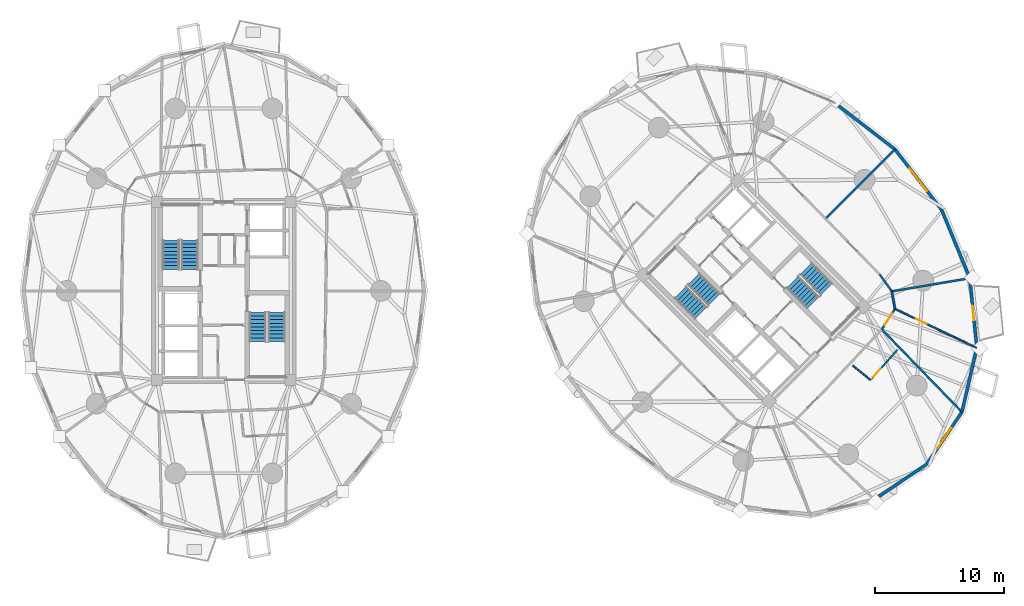
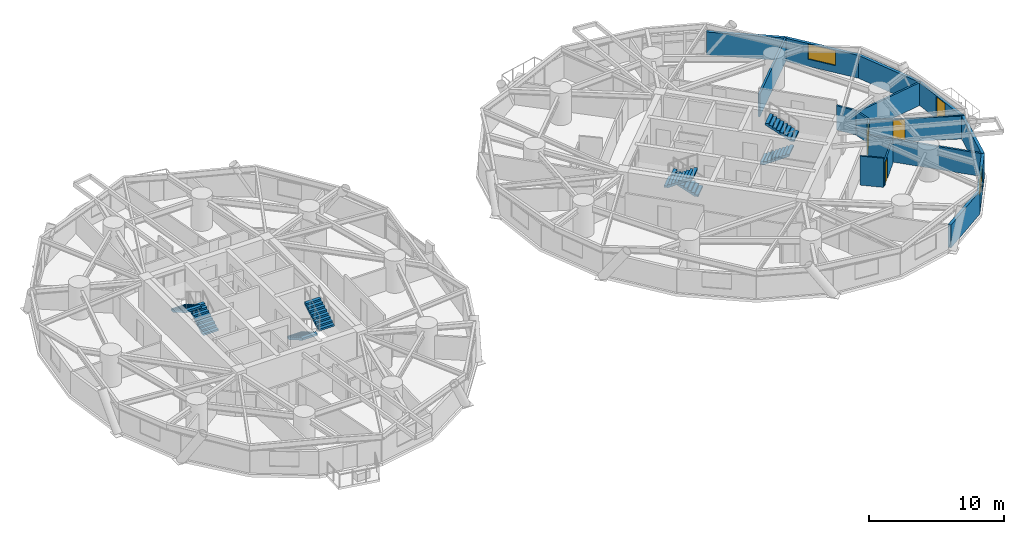
# One storey, part 16 of 19: 16 walls, 8 stair flights, 4 doors, 2 windows, 6 openings, 4 elements without a shape of their own.
"""IFC4 building model written with IfcOpenShell, lengths in metres."""

from ifc_helpers import new_model, si_unit, direction, frame, frame_2d, origin, place, context, subcontext, project, spatial, polyline, rectangle, outline, extrude, source, transform, mapped, material, layer, layer_set, type_object, element, fill, aggregate, save


model = new_model("IFC4")

# Units and contexts
model_context = context("Model", 3, precision=1e-05, world=origin(), true_north=direction((0.0, 1.0)))
body_context = subcontext(model_context, "Body", "Model", "MODEL_VIEW")
ifc_project = project(units=[si_unit("LENGTHUNIT", "METRE"), si_unit("AREAUNIT", "SQUARE_METRE"), si_unit("VOLUMEUNIT", "CUBIC_METRE"), si_unit("PLANEANGLEUNIT", "RADIAN"), si_unit("MASSUNIT", "GRAM", prefix="KILO")], contexts=[model_context])

# Site, building, storey
site_placement = place(None, origin())
site = spatial("IfcSite", under=ifc_project, at=site_placement, CompositionType="ELEMENT")
building_placement = place(site_placement, origin())
building = spatial("IfcBuilding", under=site, at=building_placement, Name="Cununo Teusaquillo Station Towers", CompositionType="ELEMENT")
storey_placement = place(building_placement, frame((0.0, 0.0, 30.72998046875)))
storey = spatial("IfcBuildingStorey", under=building, at=storey_placement, Name="L08", CompositionType="ELEMENT", Elevation=30.72998046875)

# Walls
ifc_material_1 = material(Name="Precast concrete C40/50", Category="concrete")
ifc_layer_1 = layer(ifc_material_1, 0.239990234375)
ifc_layer_set_1 = layer_set([ifc_layer_1], Name="Precast concrete C40/50")
wall_type_1 = type_object("IfcWallType", Name="WL-EXT-240", PredefinedType="SOLIDWALL", material=ifc_layer_set_1)
wall_1_placement = place(storey_placement, frame((63.77783203125, 39.068115234375, 0.0), z_axis=(0.0, 0.0, 1.0), x_axis=(0.792020182601, -0.610494906082, 0.0)))
element("IfcWall", 1, at=wall_1_placement, inside=storey, type_object=wall_type_1, Name="L08 Tower B Exterior Facade Wall C00", PredefinedType="SOLIDWALL", context=body_context, shape_type="SweptSolid", body=[
    extrude(rectangle(XDim=5.9111328125, YDim=0.239990234375, at=frame_2d((2.95556640625, 0.0))), origin(), (0.0, 0.0, 1.0), 2.072998046875),
])
wall_2_placement = place(storey_placement, frame((70.913818359375, 11.086181640625, 0.0), z_axis=(0.0, 0.0, 1.0), x_axis=(-0.828748297084, -0.559621532896, 0.0)))
element("IfcWall", 2, at=wall_2_placement, inside=storey, type_object=wall_type_1, Name="L08 Tower B Exterior Facade Wall C14", PredefinedType="SOLIDWALL", context=body_context, shape_type="SweptSolid", body=[
    extrude(rectangle(XDim=4.878662109375, YDim=0.239990234375, at=frame_2d((2.439453125, 0.0))), origin(), (0.0, 0.0, 1.0), 2.072998046875),
])

# Wall, opening, window
wall_3_placement = place(storey_placement, frame((73.64404296875, 15.12939453125, 0.0), z_axis=(0.0, 0.0, 1.0), x_axis=(-0.559621532896, -0.828748297084, 0.0)))
wall_3 = element("IfcWall", 3, at=wall_3_placement, inside=storey, type_object=wall_type_1, Name="L08 Tower B Exterior Facade Wall C15", PredefinedType="SOLIDWALL", context=body_context, shape_type="SweptSolid", body=[
    extrude(rectangle(XDim=4.878662109375, YDim=0.239990234375, at=frame_2d((2.439453125, 0.0))), origin(), (0.0, 0.0, 1.0), 2.072998046875),
])
shared_shape_1 = source(origin(), body_context, "Body", "SweptSolid", [
    extrude(rectangle(XDim=1.89990234375, YDim=1.35009765625, at=frame_2d((0.949951171875, 0.675048828125))), frame((0.0, 0.1298828125, 0.0), z_axis=(0.0, -1.0, 0.0), x_axis=(1.0, 0.0, 0.0)), (0.0, 0.0, 1.0), 0.260009765625),
])
opening_1_placement = place(wall_3_placement, frame((1.489013671875, 0.0, 0.64990234375)))
opening_1 = element("IfcOpeningElement", 4, at=opening_1_placement, cuts=wall_3, Name="Opening WN-02", PredefinedType="OPENING", context=body_context, shape_type="MappedRepresentation", body=[
    mapped(shared_shape_1, transform((0.0, 0.0, 0.0), x_axis=(1.0, 0.0, 0.0), y_axis=(0.0, 1.0, 0.0), z_axis=(0.0, 0.0, 1.0), scale=1.0)),
])
ifc_material_2 = material(Name="Operable acoustic tinted low-E double glazing", Category="glass")
window_type_1 = type_object("IfcWindowType", Name="WIN-OPER-1900", PartitioningType="DOUBLE_PANEL_VERTICAL", PredefinedType="WINDOW", material=ifc_material_2)
shared_shape_2 = source(origin(), body_context, "Body", "SweptSolid", [
    extrude(rectangle(XDim=1.89990234375, YDim=1.35009765625, at=frame_2d((0.949951171875, 0.675048828125))), frame((0.0, 0.030029296875, 0.0), z_axis=(0.0, -1.0, 0.0), x_axis=(1.0, 0.0, 0.0)), (0.0, 0.0, 1.0), 0.06005859375),
])
window_1_placement = place(opening_1_placement, origin())
window_1 = element("IfcWindow", 5, at=window_1_placement, inside=storey, type_object=window_type_1, Name="L08 Tower B Facade Window C15", OverallHeight=1.35009765625, OverallWidth=1.89990234375, PartitioningType="DOUBLE_PANEL_VERTICAL", PredefinedType="WINDOW", context=body_context, shape_type="MappedRepresentation", body=[
    mapped(shared_shape_2, transform((0.0, 0.0, 0.0), x_axis=(1.0, 0.0, 0.0), y_axis=(0.0, 1.0, 0.0), z_axis=(0.0, 0.0, 1.0), scale=1.0)),
])
fill(opening_1, window_1)

# Wall
wall_4_placement = place(storey_placement, frame((74.7939453125, 20.08984375, 0.0), z_axis=(0.0, 0.0, 1.0), x_axis=(-0.22582585901, -0.974167686491, 0.0)))
element("IfcWall", 6, at=wall_4_placement, inside=storey, type_object=wall_type_1, Name="L08 Tower B Exterior Facade Wall C16", PredefinedType="SOLIDWALL", context=body_context, shape_type="SweptSolid", body=[
    extrude(rectangle(XDim=5.092041015625, YDim=0.239990234375, at=frame_2d((2.5458984375, 0.0))), origin(), (0.0, 0.0, 1.0), 2.072998046875),
])

# Wall, opening, door
wall_5_placement = place(storey_placement, frame((74.2509765625, 25.48193359375, 0.0), z_axis=(0.0, 0.0, 1.0), x_axis=(0.100190592135, -0.994968263437, 0.0)))
wall_5 = element("IfcWall", 7, at=wall_5_placement, inside=storey, type_object=wall_type_1, Name="L08 Tower B Exterior Facade Wall C17", PredefinedType="SOLIDWALL", context=body_context, shape_type="SweptSolid", body=[
    extrude(rectangle(XDim=5.41943359375, YDim=0.239990234375, at=frame_2d((2.709716796875, 0.0))), origin(), (0.0, 0.0, 1.0), 2.072998046875),
])
shared_shape_3 = source(origin(), body_context, "Body", "SweptSolid", [
    extrude(rectangle(XDim=1.14990234375, YDim=2.0048828125, at=frame_2d((0.574951171875, 1.00244140625))), frame((0.0, 0.1298828125, 0.0), z_axis=(0.0, -1.0, 0.0), x_axis=(1.0, 0.0, 0.0)), (0.0, 0.0, 1.0), 0.260009765625),
])
opening_2_placement = place(wall_5_placement, frame((2.135009765625, 0.0, 0.0)))
opening_2 = element("IfcOpeningElement", 8, at=opening_2_placement, cuts=wall_5, Name="Opening ED-03", PredefinedType="OPENING", context=body_context, shape_type="MappedRepresentation", body=[
    mapped(shared_shape_3, transform((0.0, 0.0, 0.0), x_axis=(1.0, 0.0, 0.0), y_axis=(0.0, 1.0, 0.0), z_axis=(0.0, 0.0, 1.0), scale=1.0)),
])
ifc_material_3 = material(Name="Anodised dark bronze aluminium EN AW-6063-T6", Category="aluminium")
door_type_1 = type_object("IfcDoorType", Name="DR-EXT-BAL", OperationType="NOTDEFINED", PredefinedType="DOOR", material=ifc_material_3)
shared_shape_4 = source(origin(), body_context, "Body", "SweptSolid", [
    extrude(rectangle(XDim=1.14990234375, YDim=2.0048828125, at=frame_2d((0.574951171875, 1.00244140625))), frame((0.0, 0.02490234375, 0.0), z_axis=(0.0, -1.0, 0.0), x_axis=(1.0, 0.0, 0.0)), (0.0, 0.0, 1.0), 0.050048828125),
])
door_1_placement = place(opening_2_placement, origin())
door_1 = element("IfcDoor", 9, at=door_1_placement, inside=storey, type_object=door_type_1, Name="L08 Tower B Tree Balcony Door C17", OperationType="SINGLE_SWING_LEFT", OverallHeight=2.0048828125, OverallWidth=1.14990234375, PredefinedType="DOOR", context=body_context, shape_type="MappedRepresentation", body=[
    mapped(shared_shape_4, transform((0.0, 0.0, 0.0), x_axis=(1.0, 0.0, 0.0), y_axis=(0.0, 1.0, 0.0), z_axis=(0.0, 0.0, 1.0), scale=1.0)),
])
fill(opening_2, door_1)

# Wall
wall_6_placement = place(storey_placement, frame((72.068115234375, 30.77783203125, 0.0), z_axis=(0.0, 0.0, 1.0), x_axis=(0.381077764176, -0.924542988536, 0.0)))
element("IfcWall", 10, at=wall_6_placement, inside=storey, type_object=wall_type_1, Name="L08 Tower B Exterior Facade Wall C18", PredefinedType="SOLIDWALL", context=body_context, shape_type="SweptSolid", body=[
    extrude(rectangle(XDim=5.72802734375, YDim=0.239990234375, at=frame_2d((2.864013671875, 0.0))), origin(), (0.0, 0.0, 1.0), 2.072998046875),
])

# Wall, opening, window
wall_7_placement = place(storey_placement, frame((68.45947265625, 35.45947265625, 0.0), z_axis=(0.0, 0.0, 1.0), x_axis=(0.610494906082, -0.792020182601, 0.0)))
wall_7 = element("IfcWall", 11, at=wall_7_placement, inside=storey, type_object=wall_type_1, Name="L08 Tower B Exterior Facade Wall C19", PredefinedType="SOLIDWALL", context=body_context, shape_type="SweptSolid", body=[
    extrude(rectangle(XDim=5.9111328125, YDim=0.239990234375, at=frame_2d((2.95556640625, 0.0))), origin(), (0.0, 0.0, 1.0), 2.072998046875),
])
shared_shape_5 = source(origin(), body_context, "Body", "SweptSolid", [
    extrude(rectangle(XDim=2.199951171875, YDim=1.35009765625, at=frame_2d((1.10009765625, 0.675048828125))), frame((0.0, 0.1298828125, 0.0), z_axis=(0.0, -1.0, 0.0), x_axis=(1.0, 0.0, 0.0)), (0.0, 0.0, 1.0), 0.260009765625),
])
opening_3_placement = place(wall_7_placement, frame((1.85498046875, 0.0, 0.64990234375)))
opening_3 = element("IfcOpeningElement", 12, at=opening_3_placement, cuts=wall_7, Name="Opening WN-01", PredefinedType="OPENING", context=body_context, shape_type="MappedRepresentation", body=[
    mapped(shared_shape_5, transform((0.0, 0.0, 0.0), x_axis=(1.0, 0.0, 0.0), y_axis=(0.0, 1.0, 0.0), z_axis=(0.0, 0.0, 1.0), scale=1.0)),
])
ifc_material_4 = material(Name="Ceramic-fritted dark low-E double glazing", Category="glass")
window_type_2 = type_object("IfcWindowType", Name="WIN-FRIT-2200", PartitioningType="DOUBLE_PANEL_VERTICAL", PredefinedType="WINDOW", material=ifc_material_4)
shared_shape_6 = source(origin(), body_context, "Body", "SweptSolid", [
    extrude(rectangle(XDim=2.199951171875, YDim=1.35009765625, at=frame_2d((1.10009765625, 0.675048828125))), frame((0.0, 0.030029296875, 0.0), z_axis=(0.0, -1.0, 0.0), x_axis=(1.0, 0.0, 0.0)), (0.0, 0.0, 1.0), 0.06005859375),
])
window_2_placement = place(opening_3_placement, origin())
window_2 = element("IfcWindow", 13, at=window_2_placement, inside=storey, type_object=window_type_2, Name="L08 Tower B Facade Window C19", OverallHeight=1.35009765625, OverallWidth=2.199951171875, PartitioningType="DOUBLE_PANEL_VERTICAL", PredefinedType="WINDOW", context=body_context, shape_type="MappedRepresentation", body=[
    mapped(shared_shape_6, transform((0.0, 0.0, 0.0), x_axis=(1.0, 0.0, 0.0), y_axis=(0.0, 1.0, 0.0), z_axis=(0.0, 0.0, 1.0), scale=1.0)),
])
fill(opening_3, window_2)

# Wall
ifc_material_5 = material(Name="Fire-rated gypsum plasterboard partition assembly", Category="gypsum")
ifc_layer_2 = layer(ifc_material_5, 0.125)
ifc_layer_set_2 = layer_set([ifc_layer_2], Name="Fire-rated gypsum plasterboard partition assembly")
wall_type_2 = type_object("IfcWallType", Name="WL-PART-125", PredefinedType="PARTITIONING", material=ifc_layer_set_2)
wall_8_placement = place(storey_placement, frame((65.202392578125, 18.721435546875, 0.0), z_axis=(0.0, 0.0, 1.0), x_axis=(0.769814202386, -0.638268042287, 0.0)))
element("IfcWall", 14, at=wall_8_placement, inside=storey, type_object=wall_type_2, Name="L08 Tower B S07 En-suite Side Wall", PredefinedType="PARTITIONING", context=body_context, shape_type="SweptSolid", body=[
    extrude(rectangle(XDim=1.768798828125, YDim=0.125, at=frame_2d((0.88427734375, 0.0))), origin(), (0.0, 0.0, 1.0), 2.635009765625),
])

# Wall, opening, door
wall_9_placement = place(storey_placement, frame((66.667236328125, 17.70947265625, 0.0), z_axis=(0.0, 0.0, 1.0), x_axis=(0.662510581678, 0.749052554341, 0.0)))
wall_9 = element("IfcWall", 15, at=wall_9_placement, inside=storey, type_object=wall_type_2, Name="L08 Tower B S07 En-suite Back Wall", PredefinedType="PARTITIONING", context=body_context, shape_type="SweptSolid", body=[
    extrude(rectangle(XDim=2.99609375, YDim=0.125, at=frame_2d((1.498046875, 0.0))), origin(), (0.0, 0.0, 1.0), 2.158935546875),
])
shared_shape_7 = source(origin(), body_context, "Body", "SweptSolid", [
    extrude(rectangle(XDim=0.89990234375, YDim=2.0048828125, at=frame_2d((0.449951171875, 1.00244140625))), frame((0.0, 0.072509765625, 0.0), z_axis=(0.0, -1.0, 0.0), x_axis=(1.0, 0.0, 0.0)), (0.0, 0.0, 1.0), 0.14501953125),
])
opening_4_placement = place(wall_9_placement, frame((0.1201171875, 0.0, 0.0)))
opening_4 = element("IfcOpeningElement", 16, at=opening_4_placement, cuts=wall_9, Name="Opening D-IN1", PredefinedType="OPENING", context=body_context, shape_type="MappedRepresentation", body=[
    mapped(shared_shape_7, transform((0.0, 0.0, 0.0), x_axis=(1.0, 0.0, 0.0), y_axis=(0.0, 1.0, 0.0), z_axis=(0.0, 0.0, 1.0), scale=1.0)),
])
ifc_material_6 = material(Name="Acoustic solid-core hardwood leaf assembly", Category="wood")
door_type_2 = type_object("IfcDoorType", Name="DR-INT-900", OperationType="NOTDEFINED", PredefinedType="DOOR", material=ifc_material_6)
shared_shape_8 = source(origin(), body_context, "Body", "SweptSolid", [
    extrude(rectangle(XDim=0.89990234375, YDim=2.0048828125, at=frame_2d((0.449951171875, 1.00244140625))), frame((0.0, 0.02490234375, 0.0), z_axis=(0.0, -1.0, 0.0), x_axis=(1.0, 0.0, 0.0)), (0.0, 0.0, 1.0), 0.050048828125),
])
door_2_placement = place(opening_4_placement, origin())
door_2 = element("IfcDoor", 17, at=door_2_placement, inside=storey, type_object=door_type_2, Name="L08 Tower B S07 En-suite Bathroom Door", OperationType="SINGLE_SWING_RIGHT", OverallHeight=2.0048828125, OverallWidth=0.89990234375, PredefinedType="DOOR", context=body_context, shape_type="MappedRepresentation", body=[
    mapped(shared_shape_8, transform((0.0, 0.0, 0.0), x_axis=(1.0, 0.0, 0.0), y_axis=(0.0, 1.0, 0.0), z_axis=(0.0, 0.0, 1.0), scale=1.0)),
])
fill(opening_4, door_2)

wall_10_placement = place(storey_placement, frame((68.45556640625, 23.109619140625, 0.0), z_axis=(0.0, 0.0, 1.0), x_axis=(0.902430819297, -0.430834790125, 0.0)))
wall_10 = element("IfcWall", 18, at=wall_10_placement, inside=storey, type_object=wall_type_2, Name="L08 Tower B Hotel Housekeeping & Linen Pantry Suite Subdividing Wall", PredefinedType="PARTITIONING", context=body_context, shape_type="SweptSolid", body=[
    extrude(rectangle(XDim=7.001708984375, YDim=0.125, at=frame_2d((3.5009765625, 0.0))), origin(), (0.0, 0.0, 1.0), 2.072998046875),
])
opening_5_placement = place(wall_10_placement, frame((1.800048828125, 0.0, 0.0)))
opening_5 = element("IfcOpeningElement", 19, at=opening_5_placement, cuts=wall_10, Name="Opening D-IN1", PredefinedType="OPENING", context=body_context, shape_type="MappedRepresentation", body=[
    mapped(shared_shape_7, transform((0.0, 0.0, 0.0), x_axis=(1.0, 0.0, 0.0), y_axis=(0.0, 1.0, 0.0), z_axis=(0.0, 0.0, 1.0), scale=1.0)),
])
door_3_placement = place(opening_5_placement, origin())
door_3 = element("IfcDoor", 20, at=door_3_placement, inside=storey, type_object=door_type_2, Name="L08 Tower B Hotel Housekeeping & Linen Pantry Suite Connecting Door", OperationType="SINGLE_SWING_RIGHT", OverallHeight=2.0048828125, OverallWidth=0.89990234375, PredefinedType="DOOR", context=body_context, shape_type="MappedRepresentation", body=[
    mapped(shared_shape_8, transform((0.0, 0.0, 0.0), x_axis=(1.0, 0.0, 0.0), y_axis=(0.0, 1.0, 0.0), z_axis=(0.0, 0.0, 1.0), scale=1.0)),
])
fill(opening_5, door_3)

ifc_material_7 = material(Name="Fire-rated gypsum plasterboard partition assembly", Category="gypsum")
ifc_layer_3 = layer(ifc_material_7, 0.14990234375)
ifc_layer_set_3 = layer_set([ifc_layer_3], Name="Fire-rated gypsum plasterboard partition assembly")
wall_type_3 = type_object("IfcWallType", Name="WL-PART-150", PredefinedType="PARTITIONING", material=ifc_layer_set_3)
wall_11_placement = place(storey_placement, frame((67.4345703125, 21.521484375, 0.0), z_axis=(0.0, 0.0, 1.0), x_axis=(0.540777197838, 0.841165870859, 0.0)))
wall_11 = element("IfcWall", 21, at=wall_11_placement, inside=storey, type_object=wall_type_3, Name="L08 Tower B Corridor Ring Wall C16", PredefinedType="PARTITIONING", context=body_context, shape_type="SweptSolid", body=[
    extrude(rectangle(XDim=1.887939453125, YDim=0.14990234375, at=frame_2d((0.94384765625, 0.0))), origin(), (0.0, 0.0, 1.0), 2.205078125),
])
shared_shape_9 = source(origin(), body_context, "Body", "SweptSolid", [
    extrude(rectangle(XDim=1.050048828125, YDim=2.014892578125, at=frame_2d((0.52490234375, 1.00732421875))), frame((0.0, 0.0849609375, 0.0), z_axis=(0.0, -1.0, 0.0), x_axis=(1.0, 0.0, 0.0)), (0.0, 0.0, 1.0), 0.169921875),
])
opening_6_placement = place(wall_11_placement, frame((0.4189453125, 0.0, 0.0)))
opening_6 = element("IfcOpeningElement", 22, at=opening_6_placement, cuts=wall_11, Name="Opening D-SU1", PredefinedType="OPENING", context=body_context, shape_type="MappedRepresentation", body=[
    mapped(shared_shape_9, transform((0.0, 0.0, 0.0), x_axis=(1.0, 0.0, 0.0), y_axis=(0.0, 1.0, 0.0), z_axis=(0.0, 0.0, 1.0), scale=1.0)),
])
ifc_material_8 = material(Name="Acoustic solid-core hardwood leaf assembly", Category="wood")
door_type_3 = type_object("IfcDoorType", Name="DR-SUITE-1050", OperationType="NOTDEFINED", PredefinedType="DOOR", material=ifc_material_8)
shared_shape_10 = source(origin(), body_context, "Body", "SweptSolid", [
    extrude(rectangle(XDim=1.050048828125, YDim=2.014892578125, at=frame_2d((0.52490234375, 1.00732421875))), frame((0.0, 0.02490234375, 0.0), z_axis=(0.0, -1.0, 0.0), x_axis=(1.0, 0.0, 0.0)), (0.0, 0.0, 1.0), 0.050048828125),
])
door_4_placement = place(opening_6_placement, origin())
door_4 = element("IfcDoor", 23, at=door_4_placement, inside=storey, type_object=door_type_3, Name="L08 Tower B Hotel Housekeeping & Linen Pantry Entrance Door", OperationType="SINGLE_SWING_LEFT", OverallHeight=2.014892578125, OverallWidth=1.050048828125, PredefinedType="DOOR", context=body_context, shape_type="MappedRepresentation", body=[
    mapped(shared_shape_10, transform((0.0, 0.0, 0.0), x_axis=(1.0, 0.0, 0.0), y_axis=(0.0, 1.0, 0.0), z_axis=(0.0, 0.0, 1.0), scale=1.0)),
])
fill(opening_6, door_4)

# Walls
wall_12_placement = place(storey_placement, frame((68.45556640625, 23.109619140625, 0.0), z_axis=(0.0, 0.0, 1.0), x_axis=(-0.1772522795, 0.984165448191, 0.0)))
element("IfcWall", 24, at=wall_12_placement, inside=storey, type_object=wall_type_3, Name="L08 Tower B Corridor Ring Wall C17", PredefinedType="PARTITIONING", context=body_context, shape_type="SweptSolid", body=[
    extrude(rectangle(XDim=1.381591796875, YDim=0.14990234375, at=frame_2d((0.69091796875, 0.0))), origin(), (0.0, 0.0, 1.0), 2.158935546875),
])
wall_13_placement = place(storey_placement, frame((68.210693359375, 24.46923828125, 0.0), z_axis=(0.0, 0.0, 1.0), x_axis=(-0.583012141368, 0.812463441034, 0.0)))
element("IfcWall", 25, at=wall_13_placement, inside=storey, type_object=wall_type_3, Name="L08 Tower B Corridor Ring Wall C18", PredefinedType="PARTITIONING", context=body_context, shape_type="SweptSolid", body=[
    extrude(rectangle(XDim=1.613037109375, YDim=0.14990234375, at=frame_2d((0.806640625, 0.0))), origin(), (0.0, 0.0, 1.0), 2.205078125),
])
ifc_material_9 = material(Name="Fire-rated gypsum plasterboard partition assembly", Category="gypsum")
ifc_layer_4 = layer(ifc_material_9, 0.159912109375)
ifc_layer_set_4 = layer_set([ifc_layer_4], Name="Fire-rated gypsum plasterboard partition assembly")
wall_type_4 = type_object("IfcWallType", Name="WL-PART-160", PredefinedType="PARTITIONING", material=ifc_layer_set_4)
wall_14_placement = place(storey_placement, frame((63.086181640625, 30.086181640625, 0.0), z_axis=(0.0, 0.0, 1.0), x_axis=(0.707106781187, 0.707106781187, 0.0)))
element("IfcWall", 26, at=wall_14_placement, inside=storey, type_object=wall_type_4, Name="L08 Tower B Radial Suite Partition R01", PredefinedType="PARTITIONING", context=body_context, shape_type="SweptSolid", body=[
    extrude(rectangle(XDim=7.578857421875, YDim=0.159912109375, at=frame_2d((3.78955078125, 0.0))), origin(), (0.0, 0.0, 1.0), 2.072998046875),
])
wall_15_placement = place(storey_placement, frame((67.4345703125, 21.521484375, 0.0), z_axis=(0.0, 0.0, 1.0), x_axis=(0.6962628802, -0.717786877601, 0.0)))
element("IfcWall", 27, at=wall_15_placement, inside=storey, type_object=wall_type_4, Name="L08 Tower B Radial Suite Partition R09", PredefinedType="PARTITIONING", context=body_context, shape_type="SweptSolid", body=[
    extrude(rectangle(XDim=8.892578125, YDim=0.159912109375, at=frame_2d((4.4462890625, 0.0))), origin(), (0.0, 0.0, 1.0), 2.072998046875),
])
wall_16_placement = place(storey_placement, frame((68.210693359375, 24.46923828125, 0.0), z_axis=(0.0, 0.0, 1.0), x_axis=(0.986231309699, 0.165371713934, 0.0)))
element("IfcWall", 28, at=wall_16_placement, inside=storey, type_object=wall_type_4, Name="L08 Tower B Radial Suite Partition R10", PredefinedType="PARTITIONING", context=body_context, shape_type="SweptSolid", body=[
    extrude(rectangle(XDim=6.1044921875, YDim=0.159912109375, at=frame_2d((3.05224609375, 0.0))), origin(), (0.0, 0.0, 1.0), 2.072998046875),
])

# Stair, stair flights
ifc_material_10 = material(Name="Concrete C50/60", Category="concrete")
stair_type = type_object("IfcStairType", Name="ST-TWR-1300", PredefinedType="HALF_TURN_STAIR", material=ifc_material_10)
stair_1_placement = place(storey_placement, origin())
stair_1 = element("IfcStair", 29, at=stair_1_placement, inside=storey, type_object=stair_type, Name="L08 Tower A Protected Core Exit Stair 1", PredefinedType="HALF_TURN_STAIR")
ifc_material_11 = material(Name="Concrete C50/60", Category="concrete")
stair_flight_type = type_object("IfcStairFlightType", Name="SFL-TWR-1300", PredefinedType="STRAIGHT", material=ifc_material_11)
stair_flight_1_placement = place(storey_placement, frame((13.8701171875, 26.169921875, 0.0), z_axis=(0.0, 0.0, 1.0), x_axis=(0.0, 1.0, 0.0)))
stair_flight_1 = element("IfcStairFlight", 30, at=stair_flight_1_placement, type_object=stair_flight_type, Name="ST-T1-1 flight 1", NumberOfRisers=9, NumberOfTreads=8, PredefinedType="STRAIGHT", RiserHeight=0.161666667, TreadLength=0.28, context=body_context, shape_type="SweptSolid", body=[
    extrude(outline(polyline([(0.0, 0.0), (0.0, 0.16162109375), (0.280029296875, 0.16162109375), (0.280029296875, 0.3232421875), (0.56005859375, 0.3232421875), (0.56005859375, 0.485107421875), (0.840087890625, 0.485107421875), (0.840087890625, 0.646728515625), (1.1201171875, 0.646728515625), (1.1201171875, 0.808349609375), (1.39990234375, 0.808349609375), (1.39990234375, 0.969970703125), (1.679931640625, 0.969970703125), (1.679931640625, 1.131591796875), (1.9599609375, 1.131591796875), (1.9599609375, 1.293212890625), (2.239990234375, 1.293212890625), (2.239990234375, 1.455078125), (2.239990234375, 1.1201171875), (0.2998046875, 0.0), (0.0, 0.0)])), frame((0.0, 0.64990234375, 0.0), z_axis=(0.0, -1.0, 0.0), x_axis=(1.0, 0.0, 0.0)), (0.0, 0.0, 1.0), 1.300048828125),
])
stair_flight_2_placement = place(storey_placement, frame((12.409912109375, 28.409912109375, 1.455078125), z_axis=(0.0, 0.0, 1.0), x_axis=(0.0, -1.0, 0.0)))
stair_flight_2 = element("IfcStairFlight", 31, at=stair_flight_2_placement, type_object=stair_flight_type, Name="ST-T1-1 flight 2", NumberOfRisers=9, NumberOfTreads=8, PredefinedType="STRAIGHT", RiserHeight=0.161666667, TreadLength=0.28, context=body_context, shape_type="SweptSolid", body=[
    extrude(outline(polyline([(0.0, 0.0), (0.0, 0.16162109375), (0.280029296875, 0.16162109375), (0.280029296875, 0.3232421875), (0.56005859375, 0.3232421875), (0.56005859375, 0.485107421875), (0.840087890625, 0.485107421875), (0.840087890625, 0.646728515625), (1.1201171875, 0.646728515625), (1.1201171875, 0.808349609375), (1.39990234375, 0.808349609375), (1.39990234375, 0.969970703125), (1.679931640625, 0.969970703125), (1.679931640625, 1.131591796875), (1.9599609375, 1.131591796875), (1.9599609375, 1.293212890625), (2.239990234375, 1.293212890625), (2.239990234375, 1.455078125), (2.239990234375, 1.1201171875), (0.2998046875, 0.0), (0.0, 0.0)])), frame((0.0, 0.64990234375, 0.0), z_axis=(0.0, -1.0, 0.0), x_axis=(1.0, 0.0, 0.0)), (0.0, 0.0, 1.0), 1.300048828125),
])
aggregate(stair_1, [stair_flight_1, stair_flight_2])

stair_2_placement = place(storey_placement, origin())
stair_2 = element("IfcStair", 32, at=stair_2_placement, inside=storey, type_object=stair_type, Name="L08 Tower A Protected Core Exit Stair 2", PredefinedType="HALF_TURN_STAIR")
stair_flight_3_placement = place(storey_placement, frame((19.1298828125, 22.830078125, 0.0), z_axis=(0.0, 0.0, 1.0), x_axis=(0.0, -1.0, 0.0)))
stair_flight_3 = element("IfcStairFlight", 33, at=stair_flight_3_placement, type_object=stair_flight_type, Name="ST-T1-2 flight 1", NumberOfRisers=9, NumberOfTreads=8, PredefinedType="STRAIGHT", RiserHeight=0.161666667, TreadLength=0.28, context=body_context, shape_type="SweptSolid", body=[
    extrude(outline(polyline([(0.0, 0.0), (0.0, 0.16162109375), (0.280029296875, 0.16162109375), (0.280029296875, 0.3232421875), (0.56005859375, 0.3232421875), (0.56005859375, 0.485107421875), (0.840087890625, 0.485107421875), (0.840087890625, 0.646728515625), (1.1201171875, 0.646728515625), (1.1201171875, 0.808349609375), (1.39990234375, 0.808349609375), (1.39990234375, 0.969970703125), (1.679931640625, 0.969970703125), (1.679931640625, 1.131591796875), (1.9599609375, 1.131591796875), (1.9599609375, 1.293212890625), (2.239990234375, 1.293212890625), (2.239990234375, 1.455078125), (2.239990234375, 1.1201171875), (0.2998046875, 0.0), (0.0, 0.0)])), frame((0.0, 0.64990234375, 0.0), z_axis=(0.0, -1.0, 0.0), x_axis=(1.0, 0.0, 0.0)), (0.0, 0.0, 1.0), 1.300048828125),
])
stair_flight_4_placement = place(storey_placement, frame((20.590087890625, 20.590087890625, 1.455078125), z_axis=(0.0, 0.0, 1.0), x_axis=(0.0, 1.0, 0.0)))
stair_flight_4 = element("IfcStairFlight", 34, at=stair_flight_4_placement, type_object=stair_flight_type, Name="ST-T1-2 flight 2", NumberOfRisers=9, NumberOfTreads=8, PredefinedType="STRAIGHT", RiserHeight=0.161666667, TreadLength=0.28, context=body_context, shape_type="SweptSolid", body=[
    extrude(outline(polyline([(0.0, 0.0), (0.0, 0.16162109375), (0.280029296875, 0.16162109375), (0.280029296875, 0.3232421875), (0.56005859375, 0.3232421875), (0.56005859375, 0.485107421875), (0.840087890625, 0.485107421875), (0.840087890625, 0.646728515625), (1.1201171875, 0.646728515625), (1.1201171875, 0.808349609375), (1.39990234375, 0.808349609375), (1.39990234375, 0.969970703125), (1.679931640625, 0.969970703125), (1.679931640625, 1.131591796875), (1.9599609375, 1.131591796875), (1.9599609375, 1.293212890625), (2.239990234375, 1.293212890625), (2.239990234375, 1.455078125), (2.239990234375, 1.1201171875), (0.2998046875, 0.0), (0.0, 0.0)])), frame((0.0, 0.64990234375, 0.0), z_axis=(0.0, -1.0, 0.0), x_axis=(1.0, 0.0, 0.0)), (0.0, 0.0, 1.0), 1.300048828125),
])
aggregate(stair_2, [stair_flight_3, stair_flight_4])

stair_3_placement = place(storey_placement, origin())
stair_3 = element("IfcStair", 35, at=stair_3_placement, inside=storey, type_object=stair_type, Name="L08 Tower B Protected Core Exit Stair 1", PredefinedType="HALF_TURN_STAIR")
stair_flight_5_placement = place(storey_placement, frame((54.45947265625, 23.8212890625, 0.0), z_axis=(0.0, 0.0, 1.0), x_axis=(-0.707106781187, 0.707106781187, 0.0)))
stair_flight_5 = element("IfcStairFlight", 36, at=stair_flight_5_placement, type_object=stair_flight_type, Name="ST-T2-1 flight 1", NumberOfRisers=9, NumberOfTreads=8, PredefinedType="STRAIGHT", RiserHeight=0.161666667, TreadLength=0.28, context=body_context, shape_type="SweptSolid", body=[
    extrude(outline(polyline([(0.0, 0.0), (0.0, 0.16162109375), (0.280029296875, 0.16162109375), (0.280029296875, 0.3232421875), (0.56005859375, 0.3232421875), (0.56005859375, 0.485107421875), (0.840087890625, 0.485107421875), (0.840087890625, 0.646728515625), (1.1201171875, 0.646728515625), (1.1201171875, 0.808349609375), (1.39990234375, 0.808349609375), (1.39990234375, 0.969970703125), (1.679931640625, 0.969970703125), (1.679931640625, 1.131591796875), (1.9599609375, 1.131591796875), (1.9599609375, 1.293212890625), (2.239990234375, 1.293212890625), (2.239990234375, 1.455078125), (2.239990234375, 1.1201171875), (0.2998046875, 0.0), (0.0, 0.0)])), frame((0.0, 0.64990234375, 0.0), z_axis=(0.0, -1.0, 0.0), x_axis=(1.0, 0.0, 0.0)), (0.0, 0.0, 1.0), 1.300048828125),
])
stair_flight_6_placement = place(storey_placement, frame((51.84326171875, 24.372802734375, 1.455078125), z_axis=(0.0, 0.0, 1.0), x_axis=(0.707106781187, -0.707106781187, 0.0)))
stair_flight_6 = element("IfcStairFlight", 37, at=stair_flight_6_placement, type_object=stair_flight_type, Name="ST-T2-1 flight 2", NumberOfRisers=9, NumberOfTreads=8, PredefinedType="STRAIGHT", RiserHeight=0.161666667, TreadLength=0.28, context=body_context, shape_type="SweptSolid", body=[
    extrude(outline(polyline([(0.0, 0.0), (0.0, 0.16162109375), (0.280029296875, 0.16162109375), (0.280029296875, 0.3232421875), (0.56005859375, 0.3232421875), (0.56005859375, 0.485107421875), (0.840087890625, 0.485107421875), (0.840087890625, 0.646728515625), (1.1201171875, 0.646728515625), (1.1201171875, 0.808349609375), (1.39990234375, 0.808349609375), (1.39990234375, 0.969970703125), (1.679931640625, 0.969970703125), (1.679931640625, 1.131591796875), (1.9599609375, 1.131591796875), (1.9599609375, 1.293212890625), (2.239990234375, 1.293212890625), (2.239990234375, 1.455078125), (2.239990234375, 1.1201171875), (0.2998046875, 0.0), (0.0, 0.0)])), frame((0.0, 0.64990234375, 0.0), z_axis=(0.0, -1.0, 0.0), x_axis=(1.0, 0.0, 0.0)), (0.0, 0.0, 1.0), 1.300048828125),
])
aggregate(stair_3, [stair_flight_5, stair_flight_6])

stair_4_placement = place(storey_placement, origin())
stair_4 = element("IfcStair", 38, at=stair_4_placement, inside=storey, type_object=stair_type, Name="L08 Tower B Protected Core Exit Stair 2", PredefinedType="HALF_TURN_STAIR")
stair_flight_7_placement = place(storey_placement, frame((60.54052734375, 25.1787109375, 0.0), z_axis=(0.0, 0.0, 1.0), x_axis=(0.707106781187, -0.707106781187, 0.0)))
stair_flight_7 = element("IfcStairFlight", 39, at=stair_flight_7_placement, type_object=stair_flight_type, Name="ST-T2-2 flight 1", NumberOfRisers=9, NumberOfTreads=8, PredefinedType="STRAIGHT", RiserHeight=0.161666667, TreadLength=0.28, context=body_context, shape_type="SweptSolid", body=[
    extrude(outline(polyline([(0.0, 0.0), (0.0, 0.16162109375), (0.280029296875, 0.16162109375), (0.280029296875, 0.3232421875), (0.56005859375, 0.3232421875), (0.56005859375, 0.485107421875), (0.840087890625, 0.485107421875), (0.840087890625, 0.646728515625), (1.1201171875, 0.646728515625), (1.1201171875, 0.808349609375), (1.39990234375, 0.808349609375), (1.39990234375, 0.969970703125), (1.679931640625, 0.969970703125), (1.679931640625, 1.131591796875), (1.9599609375, 1.131591796875), (1.9599609375, 1.293212890625), (2.239990234375, 1.293212890625), (2.239990234375, 1.455078125), (2.239990234375, 1.1201171875), (0.2998046875, 0.0), (0.0, 0.0)])), frame((0.0, 0.64990234375, 0.0), z_axis=(0.0, -1.0, 0.0), x_axis=(1.0, 0.0, 0.0)), (0.0, 0.0, 1.0), 1.300048828125),
])
stair_flight_8_placement = place(storey_placement, frame((63.15673828125, 24.627197265625, 1.455078125), z_axis=(0.0, 0.0, 1.0), x_axis=(-0.707106781187, 0.707106781187, 0.0)))
stair_flight_8 = element("IfcStairFlight", 40, at=stair_flight_8_placement, type_object=stair_flight_type, Name="ST-T2-2 flight 2", NumberOfRisers=9, NumberOfTreads=8, PredefinedType="STRAIGHT", RiserHeight=0.161666667, TreadLength=0.28, context=body_context, shape_type="SweptSolid", body=[
    extrude(outline(polyline([(0.0, 0.0), (0.0, 0.16162109375), (0.280029296875, 0.16162109375), (0.280029296875, 0.3232421875), (0.56005859375, 0.3232421875), (0.56005859375, 0.485107421875), (0.840087890625, 0.485107421875), (0.840087890625, 0.646728515625), (1.1201171875, 0.646728515625), (1.1201171875, 0.808349609375), (1.39990234375, 0.808349609375), (1.39990234375, 0.969970703125), (1.679931640625, 0.969970703125), (1.679931640625, 1.131591796875), (1.9599609375, 1.131591796875), (1.9599609375, 1.293212890625), (2.239990234375, 1.293212890625), (2.239990234375, 1.455078125), (2.239990234375, 1.1201171875), (0.2998046875, 0.0), (0.0, 0.0)])), frame((0.0, 0.64990234375, 0.0), z_axis=(0.0, -1.0, 0.0), x_axis=(1.0, 0.0, 0.0)), (0.0, 0.0, 1.0), 1.300048828125),
])
aggregate(stair_4, [stair_flight_7, stair_flight_8])

save(model, "model.ifc")
